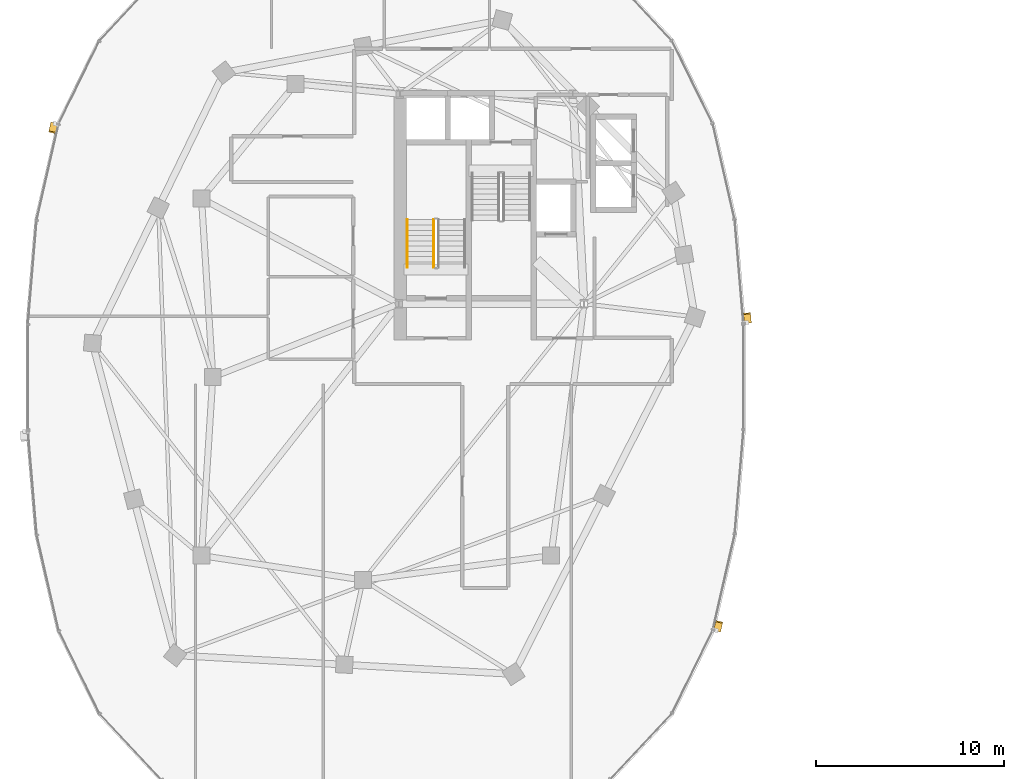
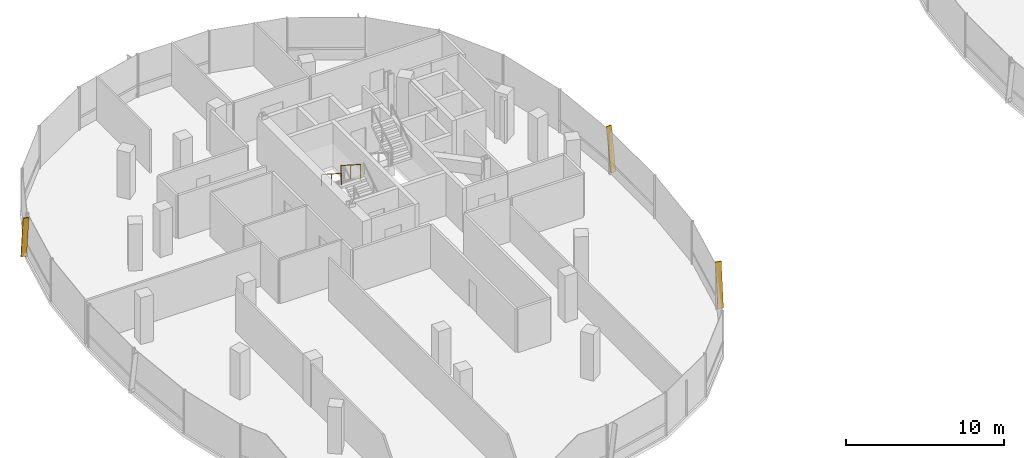
# One storey, part 22 of 25: 3 shading devices, 2 railings.
"""IFC4 building model written with IfcOpenShell, lengths in metres."""

from ifc_helpers import new_model, si_unit, direction, frame, origin, origin_2d, place, context, subcontext, project, spatial, rectangle, extrude, material, material_profile, profile_set, type_object, element, save


model = new_model("IFC4")

# Units and contexts
model_context = context("Model", 3, precision=1e-05, world=origin(), true_north=direction((0.0, 1.0)))
body_context = subcontext(model_context, "Body", "Model", "MODEL_VIEW")
ifc_project = project(units=[si_unit("LENGTHUNIT", "METRE"), si_unit("AREAUNIT", "SQUARE_METRE"), si_unit("VOLUMEUNIT", "CUBIC_METRE"), si_unit("PLANEANGLEUNIT", "RADIAN"), si_unit("MASSUNIT", "GRAM", prefix="KILO"), si_unit("THERMODYNAMICTEMPERATUREUNIT", "KELVIN"), si_unit("POWERUNIT", "WATT")], contexts=[model_context])

# Site, building, storey
site_placement = place(None, origin())
site = spatial("IfcSite", under=ifc_project, at=site_placement, CompositionType="ELEMENT")
building_placement = place(site_placement, origin())
building = spatial("IfcBuilding", under=site, at=building_placement, Name="Cundina Bronze Exchange", CompositionType="ELEMENT")
storey_placement = place(building_placement, frame((0.0, 0.0, 199.0)))
storey = spatial("IfcBuildingStorey", under=building, at=storey_placement, Name="L52", CompositionType="ELEMENT", Elevation=199.0)

# Railings
ifc_material_1 = material(Name="Steel ASTM A36 Painted", Category="steel")
railing_type_1 = type_object("IfcRailingType", Name="RLG-HND-900", PredefinedType="HANDRAIL", material=ifc_material_1)
railing_1_placement = place(storey_placement, frame((-30.85009765625, 8.3701171875, 1.97998046875)))
element("IfcRailing", 1, at=railing_1_placement, inside=storey, type_object=railing_type_1, Name="L52 ST-W1 stair handrail 2", PredefinedType="HANDRAIL", context=body_context, shape_type="SweptSolid", body=[
    extrude(rectangle(XDim=0.048095703125, YDim=0.048095703125, at=origin_2d()), frame((0.0, 0.0, 0.8759765625), z_axis=(0.0, -0.841162588446, 0.540782303519), x_axis=(1.0, 0.0, 0.0)), (0.0, 0.0, 1.0), 2.995849609375),
    extrude(rectangle(XDim=0.0419921875, YDim=0.0419921875, at=origin_2d()), origin(), (0.0, 0.0, 1.0), 0.851806640625),
    extrude(rectangle(XDim=0.0419921875, YDim=0.0419921875, at=origin_2d()), frame((0.0, -1.260009765625, 0.81005859375)), (0.0, 0.0, 1.0), 0.851806640625),
    extrude(rectangle(XDim=0.0419921875, YDim=0.0419921875, at=origin_2d()), frame((0.0, -2.52001953125, 1.6201171875)), (0.0, 0.0, 1.0), 0.851806640625),
])
railing_type_2 = type_object("IfcRailingType", Name="RLG-STG-1100", PredefinedType="GUARDRAIL", material=ifc_material_1)
railing_2_placement = place(storey_placement, frame((-29.449951171875, 8.3701171875, 1.97998046875)))
element("IfcRailing", 2, at=railing_2_placement, inside=storey, type_object=railing_type_2, Name="L52 ST-W1 stair guard 3", PredefinedType="GUARDRAIL", context=body_context, shape_type="SweptSolid", body=[
    extrude(rectangle(XDim=0.048095703125, YDim=0.048095703125, at=origin_2d()), frame((0.0, 0.0, 1.076171875), z_axis=(0.0, -0.841162588446, 0.540782303519), x_axis=(1.0, 0.0, 0.0)), (0.0, 0.0, 1.0), 2.995849609375),
    extrude(rectangle(XDim=0.0419921875, YDim=0.0419921875, at=origin_2d()), origin(), (0.0, 0.0, 1.0), 1.052001953125),
    extrude(rectangle(XDim=0.0419921875, YDim=0.0419921875, at=origin_2d()), frame((0.0, -1.260009765625, 0.81005859375)), (0.0, 0.0, 1.0), 1.052001953125),
    extrude(rectangle(XDim=0.0419921875, YDim=0.0419921875, at=origin_2d()), frame((0.0, -2.52001953125, 1.6201171875)), (0.0, 0.0, 1.0), 1.052001953125),
])

# Shading devices
ifc_material_2 = material(Name="Anodised Bronze Aluminium 6063-T6", Category="aluminium")
ifc_material_profile = material_profile(ifc_material_2, rectangle(XDim=0.070068359375, YDim=0.3798828125, at=origin_2d()), Name="FIN70X380", Category="aluminium")
ifc_profile_set = profile_set([ifc_material_profile], Name="Anodised Bronze Aluminium 6063-T6")
shading_device_type = type_object("IfcShadingDeviceType", Name="SHD-FIN-BRZ380", PredefinedType="USERDEFINED", material=ifc_profile_set)
for number, where, z_axis, x_axis, name in (
    (3, (-12.735595703125, 2.90283203125, 0.02001953125), (-0.012006555776, 0.143419772964, 0.98958911238), (0.082555834947, -0.986139516224, 0.143921466983), "L52 Diagonal Bronze Solar Fin 1"),
    (4, (-49.636962890625, 13.4931640625, 0.02001953125), (-0.032139238682, -0.140343782583, 0.989581068951), (0.220899412839, 0.964610875656, 0.14397676192), "L52 Diagonal Bronze Solar Fin 5"),
    (5, (-14.363037109375, -13.4931640625, 0.02001953125), (0.032139238682, 0.140343782583, 0.989581068951), (-0.220899412839, -0.964610875656, 0.14397676192), "L52 Diagonal Bronze Solar Fin 5"),
):
    element("IfcShadingDevice", number, at=place(storey_placement, frame(where, z_axis=z_axis, x_axis=x_axis)), inside=storey, type_object=shading_device_type, Name=name, ObjectType="FIN", PredefinedType="USERDEFINED", context=body_context, shape_type="SweptSolid", body=[
        extrude(rectangle(XDim=0.070068359375, YDim=0.3798828125, at=origin_2d()), origin(), (0.0, 0.0, 1.0), 3.334716796875),
    ])

save(model, "model.ifc")
